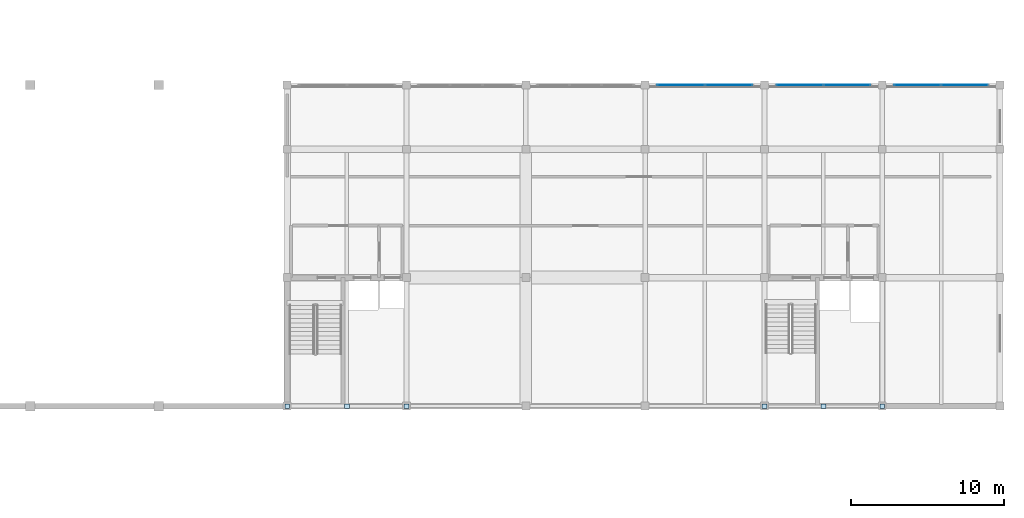
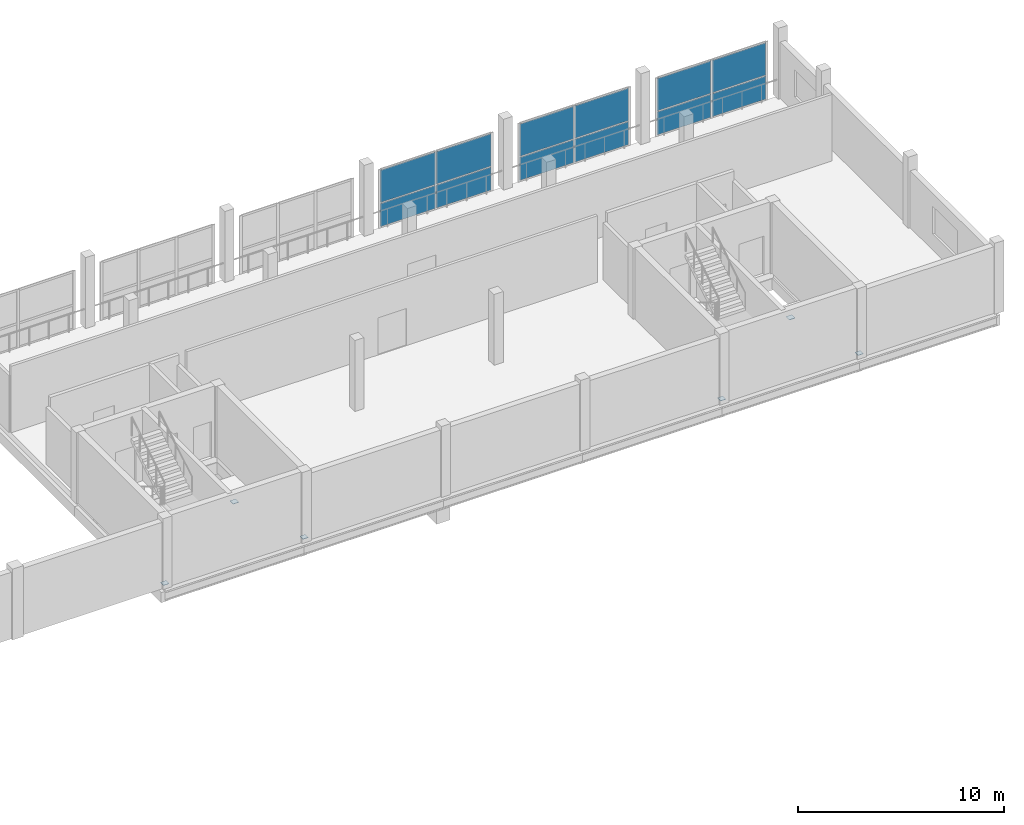
# One storey, part 36 of 53: 18 plates, 3 elements without a shape of their own.
"""IFC4 building model written with IfcOpenShell, lengths in metres."""

from ifc_helpers import new_model, si_unit, direction, frame, origin, origin_2d, place, context, subcontext, project, spatial, rectangle, extrude, material, layer, layer_set, type_object, element, aggregate, save


model = new_model("IFC4")

# Units and contexts
model_context = context("Model", 3, precision=1e-05, world=origin(), true_north=direction((0.0, 1.0)))
body_context = subcontext(model_context, "Body", "Model", "MODEL_VIEW")
ifc_project = project(units=[si_unit("LENGTHUNIT", "METRE"), si_unit("AREAUNIT", "SQUARE_METRE"), si_unit("VOLUMEUNIT", "CUBIC_METRE"), si_unit("PLANEANGLEUNIT", "RADIAN"), si_unit("MASSUNIT", "GRAM", prefix="KILO")], contexts=[model_context])

# Site, building, storey
site_placement = place(None, origin())
site = spatial("IfcSite", under=ifc_project, at=site_placement, CompositionType="ELEMENT")
building_placement = place(site_placement, origin())
building = spatial("IfcBuilding", under=site, at=building_placement, Name="Vharandega Faculty of Natural Sciences", CompositionType="ELEMENT")
storey_placement = place(building_placement, frame((0.0, 0.0, 10.199951171875)))
storey = spatial("IfcBuildingStorey", under=building, at=storey_placement, Name="L02", CompositionType="ELEMENT", Elevation=10.199951171875)

# Curtain wall, plates
ifc_material_1 = material(Name="Aluminium and solar-control glass curtain wall", Category="aluminium")
curtain_wall_type_1 = type_object("IfcCurtainWallType", Name="Unitised Curtain Wall System CW-12", PredefinedType="NOTDEFINED", material=ifc_material_1)
curtain_wall_1_placement = place(storey_placement, origin())
curtain_wall_1 = element("IfcCurtainWall", 1, at=curtain_wall_1_placement, inside=storey, type_object=curtain_wall_type_1, Name="Curtain Wall CW-L02-011", PredefinedType="NOTDEFINED")
ifc_material_2 = material(Name="Double-glazed low-E solar glass", Category="glass")
ifc_layer_1 = layer(ifc_material_2, 0.028076171875, Name="Double-glazed low-E solar glass")
ifc_layer_set_1 = layer_set([ifc_layer_1], Name="Double-glazed low-E solar glass")
plate_type_1 = type_object("IfcPlateType", Name="CW Solar Vision Panel 28mm", PredefinedType="CURTAIN_PANEL", material=ifc_layer_set_1)
plate_1_placement = place(storey_placement, frame((140.534912109375, 85.0, 0.06005859375), z_axis=(0.0, 0.0, 1.0), x_axis=(1.0, 0.0, 0.0)))
plate_1 = element("IfcPlate", 2, at=plate_1_placement, type_object=plate_type_1, Name="CW-12 panel 1.1", PredefinedType="CURTAIN_PANEL", context=body_context, shape_type="SweptSolid", body=[
    extrude(rectangle(XDim=3.070068359375, YDim=0.028076171875, at=origin_2d()), origin(), (0.0, 0.0, 1.0), 1.36328125),
])
plate_2_placement = place(storey_placement, frame((140.534912109375, 85.0, 1.4833984375), z_axis=(0.0, 0.0, 1.0), x_axis=(1.0, 0.0, 0.0)))
plate_2 = element("IfcPlate", 3, at=plate_2_placement, type_object=plate_type_1, Name="CW-12 panel 1.2", PredefinedType="CURTAIN_PANEL", context=body_context, shape_type="SweptSolid", body=[
    extrude(rectangle(XDim=3.070068359375, YDim=0.028076171875, at=origin_2d()), origin(), (0.0, 0.0, 1.0), 1.916748046875),
])
plate_3_placement = place(storey_placement, frame((143.6650390625, 85.0, 0.06005859375), z_axis=(0.0, 0.0, 1.0), x_axis=(1.0, 0.0, 0.0)))
plate_3 = element("IfcPlate", 4, at=plate_3_placement, type_object=plate_type_1, Name="CW-12 panel 2.1", PredefinedType="CURTAIN_PANEL", context=body_context, shape_type="SweptSolid", body=[
    extrude(rectangle(XDim=3.070068359375, YDim=0.028076171875, at=origin_2d()), origin(), (0.0, 0.0, 1.0), 1.36328125),
])
plate_4_placement = place(storey_placement, frame((143.6650390625, 85.0, 1.4833984375), z_axis=(0.0, 0.0, 1.0), x_axis=(1.0, 0.0, 0.0)))
plate_4 = element("IfcPlate", 5, at=plate_4_placement, type_object=plate_type_1, Name="CW-12 panel 2.2", PredefinedType="CURTAIN_PANEL", context=body_context, shape_type="SweptSolid", body=[
    extrude(rectangle(XDim=3.070068359375, YDim=0.028076171875, at=origin_2d()), origin(), (0.0, 0.0, 1.0), 1.916748046875),
])
aggregate(curtain_wall_1, [plate_1, plate_2, plate_3, plate_4])

ifc_material_3 = material(Name="Aluminium and solar-control glass curtain wall", Category="aluminium")
curtain_wall_type_2 = type_object("IfcCurtainWallType", Name="Unitised Curtain Wall System CW-13", PredefinedType="NOTDEFINED", material=ifc_material_3)
curtain_wall_2_placement = place(storey_placement, origin())
curtain_wall_2 = element("IfcCurtainWall", 6, at=curtain_wall_2_placement, inside=storey, type_object=curtain_wall_type_2, Name="Curtain Wall CW-L02-012", PredefinedType="NOTDEFINED")
plate_5_placement = place(storey_placement, frame((148.31005859375, 85.0, 0.06005859375), z_axis=(0.0, 0.0, 1.0), x_axis=(1.0, 0.0, 0.0)))
plate_5 = element("IfcPlate", 7, at=plate_5_placement, type_object=plate_type_1, Name="CW-13 panel 1.1", PredefinedType="CURTAIN_PANEL", context=body_context, shape_type="SweptSolid", body=[
    extrude(rectangle(XDim=3.02001953125, YDim=0.028076171875, at=origin_2d()), origin(), (0.0, 0.0, 1.0), 1.36328125),
])
plate_6_placement = place(storey_placement, frame((148.31005859375, 85.0, 1.4833984375), z_axis=(0.0, 0.0, 1.0), x_axis=(1.0, 0.0, 0.0)))
plate_6 = element("IfcPlate", 8, at=plate_6_placement, type_object=plate_type_1, Name="CW-13 panel 1.2", PredefinedType="CURTAIN_PANEL", context=body_context, shape_type="SweptSolid", body=[
    extrude(rectangle(XDim=3.02001953125, YDim=0.028076171875, at=origin_2d()), origin(), (0.0, 0.0, 1.0), 1.916748046875),
])
plate_7_placement = place(storey_placement, frame((151.389892578125, 85.0, 0.06005859375), z_axis=(0.0, 0.0, 1.0), x_axis=(1.0, 0.0, 0.0)))
plate_7 = element("IfcPlate", 9, at=plate_7_placement, type_object=plate_type_1, Name="CW-13 panel 2.1", PredefinedType="CURTAIN_PANEL", context=body_context, shape_type="SweptSolid", body=[
    extrude(rectangle(XDim=3.02001953125, YDim=0.028076171875, at=origin_2d()), origin(), (0.0, 0.0, 1.0), 1.36328125),
])
plate_8_placement = place(storey_placement, frame((151.389892578125, 85.0, 1.4833984375), z_axis=(0.0, 0.0, 1.0), x_axis=(1.0, 0.0, 0.0)))
plate_8 = element("IfcPlate", 10, at=plate_8_placement, type_object=plate_type_1, Name="CW-13 panel 2.2", PredefinedType="CURTAIN_PANEL", context=body_context, shape_type="SweptSolid", body=[
    extrude(rectangle(XDim=3.02001953125, YDim=0.028076171875, at=origin_2d()), origin(), (0.0, 0.0, 1.0), 1.916748046875),
])
aggregate(curtain_wall_2, [plate_5, plate_6, plate_7, plate_8])

ifc_material_4 = material(Name="Aluminium and solar-control glass curtain wall", Category="aluminium")
curtain_wall_type_3 = type_object("IfcCurtainWallType", Name="Unitised Curtain Wall System CW-14", PredefinedType="NOTDEFINED", material=ifc_material_4)
curtain_wall_3_placement = place(storey_placement, origin())
curtain_wall_3 = element("IfcCurtainWall", 11, at=curtain_wall_3_placement, inside=storey, type_object=curtain_wall_type_3, Name="Curtain Wall CW-L02-013", PredefinedType="NOTDEFINED")
plate_9_placement = place(storey_placement, frame((156.010009765625, 85.0, 0.06005859375), z_axis=(0.0, 0.0, 1.0), x_axis=(1.0, 0.0, 0.0)))
plate_9 = element("IfcPlate", 12, at=plate_9_placement, type_object=plate_type_1, Name="CW-14 panel 1.1", PredefinedType="CURTAIN_PANEL", context=body_context, shape_type="SweptSolid", body=[
    extrude(rectangle(XDim=3.02001953125, YDim=0.028076171875, at=origin_2d()), origin(), (0.0, 0.0, 1.0), 1.36328125),
])
plate_10_placement = place(storey_placement, frame((156.010009765625, 85.0, 1.4833984375), z_axis=(0.0, 0.0, 1.0), x_axis=(1.0, 0.0, 0.0)))
plate_10 = element("IfcPlate", 13, at=plate_10_placement, type_object=plate_type_1, Name="CW-14 panel 1.2", PredefinedType="CURTAIN_PANEL", context=body_context, shape_type="SweptSolid", body=[
    extrude(rectangle(XDim=3.02001953125, YDim=0.028076171875, at=origin_2d()), origin(), (0.0, 0.0, 1.0), 1.916748046875),
])
plate_11_placement = place(storey_placement, frame((159.090087890625, 85.0, 0.06005859375), z_axis=(0.0, 0.0, 1.0), x_axis=(1.0, 0.0, 0.0)))
plate_11 = element("IfcPlate", 14, at=plate_11_placement, type_object=plate_type_1, Name="CW-14 panel 2.1", PredefinedType="CURTAIN_PANEL", context=body_context, shape_type="SweptSolid", body=[
    extrude(rectangle(XDim=3.02001953125, YDim=0.028076171875, at=origin_2d()), origin(), (0.0, 0.0, 1.0), 1.36328125),
])
plate_12_placement = place(storey_placement, frame((159.090087890625, 85.0, 1.4833984375), z_axis=(0.0, 0.0, 1.0), x_axis=(1.0, 0.0, 0.0)))
plate_12 = element("IfcPlate", 15, at=plate_12_placement, type_object=plate_type_1, Name="CW-14 panel 2.2", PredefinedType="CURTAIN_PANEL", context=body_context, shape_type="SweptSolid", body=[
    extrude(rectangle(XDim=3.02001953125, YDim=0.028076171875, at=origin_2d()), origin(), (0.0, 0.0, 1.0), 1.916748046875),
])
aggregate(curtain_wall_3, [plate_9, plate_10, plate_11, plate_12])

# Plates
ifc_material_5 = material(Name="Steel S355", Category="steel")
ifc_layer_2 = layer(ifc_material_5, 0.02490234375, Name="Steel S355")
ifc_layer_set_2 = layer_set([ifc_layer_2], Name="Steel S355")
plate_type_2 = type_object("IfcPlateType", Name="Hollow Section End Cap Plate 25mm", PredefinedType="USERDEFINED", material=ifc_layer_set_2)
plate_13_placement = place(storey_placement, frame((114.800048828125, 64.0, 0.1376953125), z_axis=(0.0, 0.0, 1.0), x_axis=(1.0, 0.0, 0.0)))
element("IfcPlate", 16, at=plate_13_placement, inside=storey, type_object=plate_type_2, Name="Node Cap Plate CHV-J-L02 #59", ObjectType="CAP PLATE", PredefinedType="USERDEFINED", context=body_context, shape_type="SweptSolid", body=[
    extrude(rectangle(XDim=0.300048828125, YDim=0.300048828125, at=origin_2d()), origin(), (0.0, 0.0, 1.0), 0.02490234375),
])
plate_14_placement = place(storey_placement, frame((118.699951171875, 64.0, 3.59765625), z_axis=(0.0, 0.0, 1.0), x_axis=(1.0, 0.0, 0.0)))
element("IfcPlate", 17, at=plate_14_placement, inside=storey, type_object=plate_type_2, Name="Node Cap Plate CHV-J-L02 #60", ObjectType="CAP PLATE", PredefinedType="USERDEFINED", context=body_context, shape_type="SweptSolid", body=[
    extrude(rectangle(XDim=0.320068359375, YDim=0.320068359375, at=origin_2d()), origin(), (0.0, 0.0, 1.0), 0.02490234375),
])
for number, where, z_axis, x_axis, name in (
    (18, (122.60009765625, 64.0, 0.1376953125), (0.0, 0.0, 1.0), (1.0, 0.0, 0.0), "Node Cap Plate CHV-J-L02 #61"),
    (19, (146.0, 64.0, 0.1376953125), (0.0, 0.0, 1.0), (1.0, 0.0, 0.0), "Node Cap Plate CHV-J2-L02 #89"),
):
    element("IfcPlate", number, at=place(storey_placement, frame(where, z_axis=z_axis, x_axis=x_axis)), inside=storey, type_object=plate_type_2, Name=name, ObjectType="CAP PLATE", PredefinedType="USERDEFINED", context=body_context, shape_type="SweptSolid", body=[
        extrude(rectangle(XDim=0.300048828125, YDim=0.300048828125, at=origin_2d()), origin(), (0.0, 0.0, 1.0), 0.02490234375),
    ])
plate_15_placement = place(storey_placement, frame((149.85009765625, 64.0, 3.59765625), z_axis=(0.0, 0.0, 1.0), x_axis=(1.0, 0.0, 0.0)))
element("IfcPlate", 20, at=plate_15_placement, inside=storey, type_object=plate_type_2, Name="Node Cap Plate CHV-J2-L02 #90", ObjectType="CAP PLATE", PredefinedType="USERDEFINED", context=body_context, shape_type="SweptSolid", body=[
    extrude(rectangle(XDim=0.320068359375, YDim=0.320068359375, at=origin_2d()), origin(), (0.0, 0.0, 1.0), 0.02490234375),
])
plate_16_placement = place(storey_placement, frame((153.699951171875, 64.0, 0.1376953125), z_axis=(0.0, 0.0, 1.0), x_axis=(1.0, 0.0, 0.0)))
element("IfcPlate", 21, at=plate_16_placement, inside=storey, type_object=plate_type_2, Name="Node Cap Plate CHV-J2-L02 #91", ObjectType="CAP PLATE", PredefinedType="USERDEFINED", context=body_context, shape_type="SweptSolid", body=[
    extrude(rectangle(XDim=0.300048828125, YDim=0.300048828125, at=origin_2d()), origin(), (0.0, 0.0, 1.0), 0.02490234375),
])

save(model, "model.ifc")
